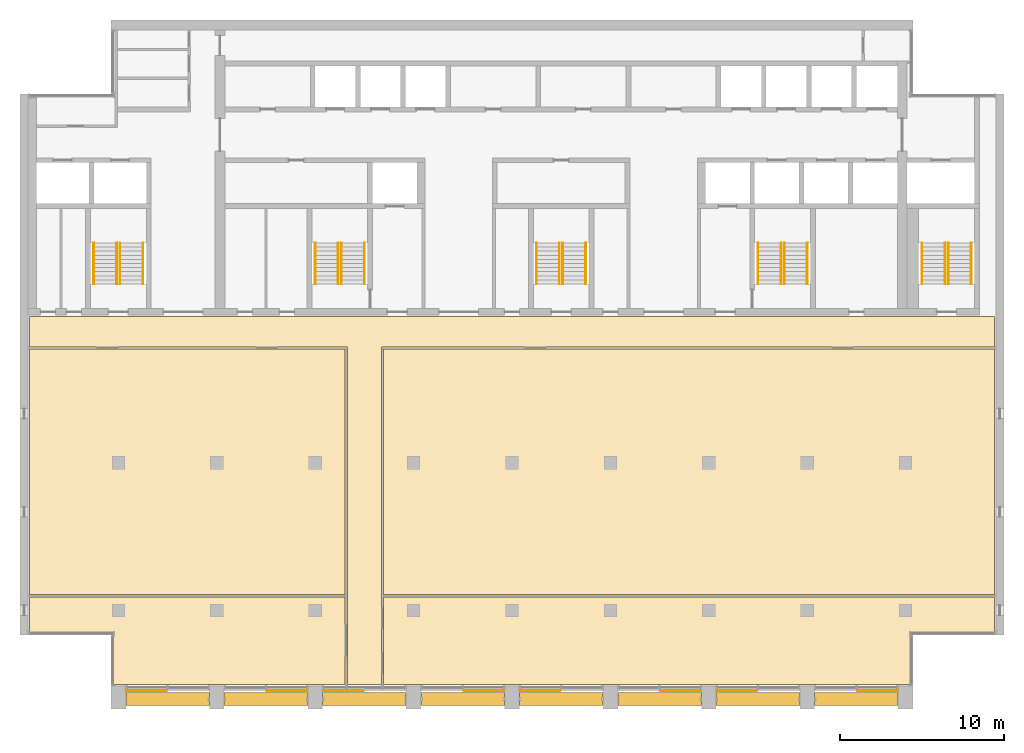
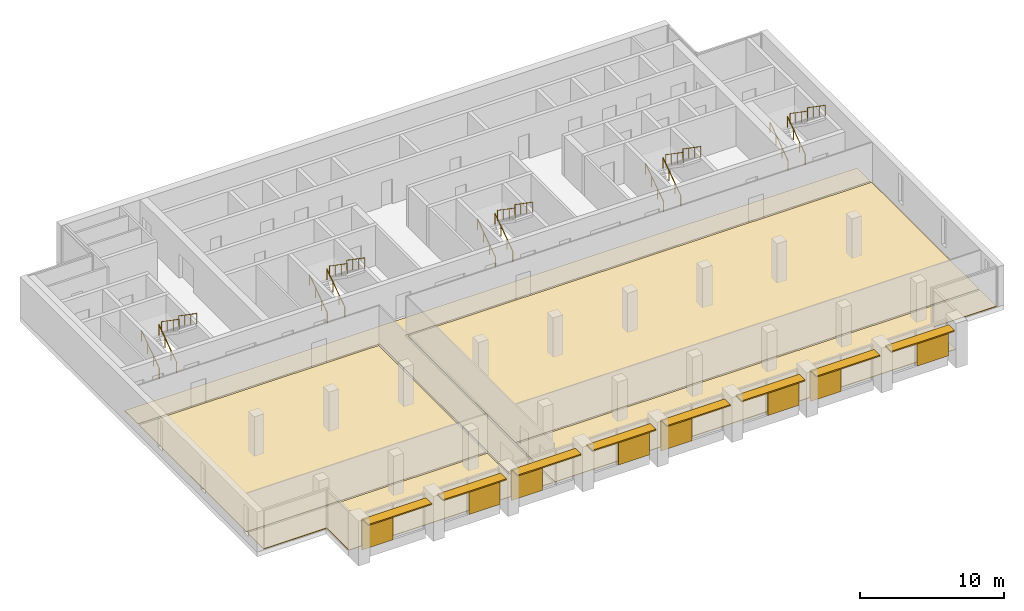
# One storey, part 14 of 14: 20 railings, 16 shading devices, 5 coverings, 5 elements without a shape of their own.
"""IFC4 building model written with IfcOpenShell, lengths in metres."""

from ifc_helpers import new_model, si_unit, direction, frame, origin, origin_2d, place, context, subcontext, project, spatial, polyline, rectangle, circle, outline, extrude, material, layer, layer_set, material_profile, profile_set, type_object, element, aggregate, save


model = new_model("IFC4")

# Units and contexts
model_context = context("Model", 3, precision=1e-05, world=origin(), true_north=direction((0.0, 1.0)))
body_context = subcontext(model_context, "Body", "Model", "MODEL_VIEW")
ifc_project = project(units=[si_unit("LENGTHUNIT", "METRE"), si_unit("AREAUNIT", "SQUARE_METRE"), si_unit("VOLUMEUNIT", "CUBIC_METRE"), si_unit("PLANEANGLEUNIT", "RADIAN"), si_unit("MASSUNIT", "GRAM", prefix="KILO")], contexts=[model_context])

# Site, building, storey
site_placement = place(None, origin())
site = spatial("IfcSite", under=ifc_project, at=site_placement, CompositionType="ELEMENT")
building_placement = place(site_placement, origin())
building = spatial("IfcBuilding", under=site, at=building_placement, Name="Calvaro Tower", CompositionType="ELEMENT")
storey_placement = place(building_placement, frame((0.0, 0.0, 258.35009765625)))
storey = spatial("IfcBuildingStorey", under=building, at=storey_placement, Name="L65", CompositionType="ELEMENT", Elevation=258.35009765625)

# Shading devices
ifc_material_1 = material(Name="Anodised aluminium", Category="aluminium")
ifc_material_profile = material_profile(ifc_material_1, rectangle(XDim=0.800048828125, YDim=0.10009765625, at=origin_2d()), Name="Brise-soleil blade 800 x 100")
ifc_profile_set = profile_set([ifc_material_profile], Name="Anodised aluminium")
shading_device_type_1 = type_object("IfcShadingDeviceType", Name="Brise-soleil blade 800 x 100", PredefinedType="JALOUSIE", material=ifc_profile_set)
for number, where, z_axis, x_axis, name in (
    (1, (12.449951171875, 4.60009765625, 2.64990234375), (1.0, 0.0, 0.0), (0.0, 1.0, 0.0), "Brise-soleil blade 1"),
    (2, (18.449951171875, 4.60009765625, 2.64990234375), (1.0, 0.0, 0.0), (0.0, 1.0, 0.0), "Brise-soleil blade 2"),
    (3, (24.449951171875, 4.60009765625, 2.64990234375), (1.0, 0.0, 0.0), (0.0, 1.0, 0.0), "Brise-soleil blade 3"),
    (4, (30.449951171875, 4.60009765625, 2.64990234375), (1.0, 0.0, 0.0), (0.0, 1.0, 0.0), "Brise-soleil blade 4"),
    (5, (36.449951171875, 4.60009765625, 2.64990234375), (1.0, 0.0, 0.0), (0.0, 1.0, 0.0), "Brise-soleil blade 5"),
    (6, (42.449951171875, 4.60009765625, 2.64990234375), (1.0, 0.0, 0.0), (0.0, 1.0, 0.0), "Brise-soleil blade 6"),
    (7, (48.449951171875, 4.60009765625, 2.64990234375), (1.0, 0.0, 0.0), (0.0, 1.0, 0.0), "Brise-soleil blade 7"),
    (8, (54.449951171875, 4.60009765625, 2.64990234375), (1.0, 0.0, 0.0), (0.0, 1.0, 0.0), "Brise-soleil blade 8"),
):
    element("IfcShadingDevice", number, at=place(storey_placement, frame(where, z_axis=z_axis, x_axis=x_axis)), inside=storey, type_object=shading_device_type_1, Name=name, PredefinedType="JALOUSIE", context=body_context, shape_type="SweptSolid", body=[
        extrude(rectangle(XDim=0.800048828125, YDim=0.10009765625, at=origin_2d()), origin(), (0.0, 0.0, 1.0), 5.10009765625),
    ])

# Coverings
ifc_material_2 = material(Name="Cement screed with carpet tile finish")
ifc_layer_1 = layer(ifc_material_2, 0.050048828125)
ifc_layer_set_1 = layer_set([ifc_layer_1], Name="Cement screed with carpet tile finish")
covering_type = type_object("IfcCoveringType", Name="Floor finish 50", PredefinedType="FLOORING", material=ifc_layer_set_1)
covering_1_placement = place(storey_placement, origin())
element("IfcCovering", 9, at=covering_1_placement, inside=storey, type_object=covering_type, Name="Floor finish 37.01", PredefinedType="FLOORING", context=body_context, shape_type="SweptSolid", body=[
    extrude(outline(polyline([(25.969970703125, 5.469970703125), (25.969970703125, 26.070068359375), (6.570068359375, 26.070068359375), (6.570068359375, 27.929931640625), (65.429931640625, 27.929931640625), (65.429931640625, 26.070068359375), (28.030029296875, 26.070068359375), (28.030029296875, 5.469970703125), (25.969970703125, 5.469970703125)])), origin(), (0.0, 0.0, 1.0), 0.0498046875),
])
covering_2_placement = place(storey_placement, origin())
element("IfcCovering", 10, at=covering_2_placement, inside=storey, type_object=covering_type, Name="Floor finish 37.03", PredefinedType="FLOORING", context=body_context, shape_type="SweptSolid", body=[
    extrude(outline(polyline([(25.830078125, 10.830078125), (25.830078125, 5.469970703125), (11.6201171875, 5.469970703125), (11.6201171875, 8.570068359375), (6.570068359375, 8.570068359375), (6.570068359375, 10.830078125), (25.830078125, 10.830078125)])), origin(), (0.0, 0.0, 1.0), 0.0498046875),
])
covering_3_placement = place(storey_placement, origin())
element("IfcCovering", 11, at=covering_3_placement, inside=storey, type_object=covering_type, Name="Floor finish 37.04", PredefinedType="FLOORING", context=body_context, shape_type="SweptSolid", body=[
    extrude(outline(polyline([(25.830078125, 25.929931640625), (25.830078125, 10.969970703125), (6.570068359375, 10.969970703125), (6.570068359375, 25.929931640625), (25.830078125, 25.929931640625)])), origin(), (0.0, 0.0, 1.0), 0.0498046875),
])
covering_4_placement = place(storey_placement, origin())
element("IfcCovering", 12, at=covering_4_placement, inside=storey, type_object=covering_type, Name="Floor finish 37.02", PredefinedType="FLOORING", context=body_context, shape_type="SweptSolid", body=[
    extrude(outline(polyline([(65.429931640625, 8.570068359375), (60.3798828125, 8.570068359375), (60.3798828125, 5.469970703125), (28.169921875, 5.469970703125), (28.169921875, 10.830078125), (65.429931640625, 10.830078125), (65.429931640625, 8.570068359375)])), origin(), (0.0, 0.0, 1.0), 0.0498046875),
])
covering_5_placement = place(storey_placement, origin())
element("IfcCovering", 13, at=covering_5_placement, inside=storey, type_object=covering_type, Name="Floor finish 37.05", PredefinedType="FLOORING", context=body_context, shape_type="SweptSolid", body=[
    extrude(outline(polyline([(65.429931640625, 10.969970703125), (28.169921875, 10.969970703125), (28.169921875, 25.929931640625), (65.429931640625, 25.929931640625), (65.429931640625, 10.969970703125)])), origin(), (0.0, 0.0, 1.0), 0.0498046875),
])

# Shading devices
ifc_material_3 = material(Name="Ceramic")
ifc_layer_2 = layer(ifc_material_3, 0.0400390625)
ifc_layer_set_2 = layer_set([ifc_layer_2], Name="Ceramic")
shading_device_type_2 = type_object("IfcShadingDeviceType", Name="Sliding ceramic screen 2500", PredefinedType="SHUTTER", material=ifc_layer_set_2)
for number, where, z_axis, x_axis, name in (
    (14, (13.699951171875, 5.10009765625, -0.000244140625), (0.0, 0.0, 1.0), (1.0, 0.0, 0.0), "Sliding screen 1"),
    (15, (22.300048828125, 5.10009765625, -0.000244140625), (0.0, 0.0, 1.0), (1.0, 0.0, 0.0), "Sliding screen 2"),
    (16, (25.699951171875, 5.10009765625, -0.000244140625), (0.0, 0.0, 1.0), (1.0, 0.0, 0.0), "Sliding screen 3"),
    (17, (34.300048828125, 5.10009765625, -0.000244140625), (0.0, 0.0, 1.0), (1.0, 0.0, 0.0), "Sliding screen 4"),
    (18, (37.699951171875, 5.10009765625, -0.000244140625), (0.0, 0.0, 1.0), (1.0, 0.0, 0.0), "Sliding screen 5"),
    (19, (46.300048828125, 5.10009765625, -0.000244140625), (0.0, 0.0, 1.0), (1.0, 0.0, 0.0), "Sliding screen 6"),
    (20, (49.699951171875, 5.10009765625, -0.000244140625), (0.0, 0.0, 1.0), (1.0, 0.0, 0.0), "Sliding screen 7"),
    (21, (58.300048828125, 5.10009765625, -0.000244140625), (0.0, 0.0, 1.0), (1.0, 0.0, 0.0), "Sliding screen 8"),
):
    element("IfcShadingDevice", number, at=place(storey_placement, frame(where, z_axis=z_axis, x_axis=x_axis)), inside=storey, type_object=shading_device_type_2, Name=name, PredefinedType="SHUTTER", context=body_context, shape_type="SweptSolid", body=[
        extrude(rectangle(XDim=2.5, YDim=0.0400390625, at=origin_2d()), origin(), (0.0, 0.0, 1.0), 2.60009765625),
    ])

# Stair, railings
ifc_material_4 = material(Name="Concrete C40/50", Category="concrete")
stair_type = type_object("IfcStairType", Name="Exit stair 1400 2 flights", PredefinedType="HALF_TURN_STAIR", material=ifc_material_4)
stair_1_placement = place(storey_placement, origin())
stair_1 = element("IfcStair", 22, at=stair_1_placement, inside=storey, type_object=stair_type, Name="Exit stair S1", PredefinedType="HALF_TURN_STAIR")
ifc_material_5 = material(Name="Stainless steel", Category="steel")
railing_type = type_object("IfcRailingType", Name="Stair handrail", PredefinedType="HANDRAIL", material=ifc_material_5)
railing_1_placement = place(storey_placement, frame((11.89990234375, 29.89990234375, 0.172607421875)))
railing_1 = element("IfcRailing", 23, at=railing_1_placement, type_object=railing_type, Name="Exit stair 1 handrail", PredefinedType="HANDRAIL", context=body_context, shape_type="SweptSolid", body=[
    extrude(circle(Radius=0.02392578125, at=origin_2d()), frame((0.0, 0.0, 0.8759765625), z_axis=(0.0, 0.822726922227, 0.568436813941), x_axis=(-1.0, 0.0, 0.0)), (0.0, 0.0, 1.0), 3.03857421875),
    extrude(circle(Radius=0.02099609375, at=origin_2d()), frame((0.0, 0.017333984375, 0.011962890625)), (0.0, 0.0, 1.0), 0.851806640625),
    extrude(circle(Radius=0.02099609375, at=origin_2d()), frame((0.0, 0.833251953125, 0.57568359375)), (0.0, 0.0, 1.0), 0.851806640625),
    extrude(circle(Radius=0.02099609375, at=origin_2d()), frame((0.0, 1.666748046875, 1.151611328125)), (0.0, 0.0, 1.0), 0.851806640625),
    extrude(circle(Radius=0.02099609375, at=origin_2d()), frame((0.0, 2.482666015625, 1.71533203125)), (0.0, 0.0, 1.0), 0.851806640625),
])
railing_2_placement = place(storey_placement, frame((10.5, 29.89990234375, 0.172607421875)))
railing_2 = element("IfcRailing", 24, at=railing_2_placement, type_object=railing_type, Name="Exit stair 1 handrail", PredefinedType="HANDRAIL", context=body_context, shape_type="SweptSolid", body=[
    extrude(circle(Radius=0.02392578125, at=origin_2d()), frame((0.0, 0.0, 0.8759765625), z_axis=(0.0, 0.822726922227, 0.568436813941), x_axis=(-1.0, 0.0, 0.0)), (0.0, 0.0, 1.0), 3.03857421875),
    extrude(circle(Radius=0.02099609375, at=origin_2d()), frame((0.0, 0.017333984375, 0.011962890625)), (0.0, 0.0, 1.0), 0.851806640625),
    extrude(circle(Radius=0.02099609375, at=origin_2d()), frame((0.0, 0.833251953125, 0.57568359375)), (0.0, 0.0, 1.0), 0.851806640625),
    extrude(circle(Radius=0.02099609375, at=origin_2d()), frame((0.0, 1.666748046875, 1.151611328125)), (0.0, 0.0, 1.0), 0.851806640625),
    extrude(circle(Radius=0.02099609375, at=origin_2d()), frame((0.0, 2.482666015625, 1.71533203125)), (0.0, 0.0, 1.0), 0.851806640625),
])
railing_3_placement = place(storey_placement, frame((12.10009765625, 32.39990234375, 2.072509765625)))
railing_3 = element("IfcRailing", 25, at=railing_3_placement, type_object=railing_type, Name="Exit stair 1 handrail", PredefinedType="HANDRAIL", context=body_context, shape_type="SweptSolid", body=[
    extrude(circle(Radius=0.02392578125, at=origin_2d()), frame((0.0, 0.0, 0.8759765625), z_axis=(0.0, -0.822726922227, 0.568436813941), x_axis=(1.0, 0.0, 0.0)), (0.0, 0.0, 1.0), 3.03857421875),
    extrude(circle(Radius=0.02099609375, at=origin_2d()), frame((0.0, -0.017333984375, 0.011962890625)), (0.0, 0.0, 1.0), 0.851806640625),
    extrude(circle(Radius=0.02099609375, at=origin_2d()), frame((0.0, -0.833251953125, 0.57568359375)), (0.0, 0.0, 1.0), 0.851806640625),
    extrude(circle(Radius=0.02099609375, at=origin_2d()), frame((0.0, -1.666748046875, 1.151611328125)), (0.0, 0.0, 1.0), 0.851806640625),
    extrude(circle(Radius=0.02099609375, at=origin_2d()), frame((0.0, -2.482666015625, 1.71533203125)), (0.0, 0.0, 1.0), 0.851806640625),
])
railing_4_placement = place(storey_placement, frame((13.5, 32.39990234375, 2.072509765625)))
railing_4 = element("IfcRailing", 26, at=railing_4_placement, type_object=railing_type, Name="Exit stair 1 handrail", PredefinedType="HANDRAIL", context=body_context, shape_type="SweptSolid", body=[
    extrude(circle(Radius=0.02392578125, at=origin_2d()), frame((0.0, 0.0, 0.8759765625), z_axis=(0.0, -0.822726922227, 0.568436813941), x_axis=(1.0, 0.0, 0.0)), (0.0, 0.0, 1.0), 3.03857421875),
    extrude(circle(Radius=0.02099609375, at=origin_2d()), frame((0.0, -0.017333984375, 0.011962890625)), (0.0, 0.0, 1.0), 0.851806640625),
    extrude(circle(Radius=0.02099609375, at=origin_2d()), frame((0.0, -0.833251953125, 0.57568359375)), (0.0, 0.0, 1.0), 0.851806640625),
    extrude(circle(Radius=0.02099609375, at=origin_2d()), frame((0.0, -1.666748046875, 1.151611328125)), (0.0, 0.0, 1.0), 0.851806640625),
    extrude(circle(Radius=0.02099609375, at=origin_2d()), frame((0.0, -2.482666015625, 1.71533203125)), (0.0, 0.0, 1.0), 0.851806640625),
])
aggregate(stair_1, [railing_1, railing_2, railing_3, railing_4])

stair_2_placement = place(storey_placement, origin())
stair_2 = element("IfcStair", 27, at=stair_2_placement, inside=storey, type_object=stair_type, Name="Exit stair S2", PredefinedType="HALF_TURN_STAIR")
railing_5_placement = place(storey_placement, frame((25.39990234375, 29.89990234375, 0.172607421875)))
railing_5 = element("IfcRailing", 28, at=railing_5_placement, type_object=railing_type, Name="Exit stair 2 handrail", PredefinedType="HANDRAIL", context=body_context, shape_type="SweptSolid", body=[
    extrude(circle(Radius=0.02392578125, at=origin_2d()), frame((0.0, 0.0, 0.8759765625), z_axis=(0.0, 0.822726922227, 0.568436813941), x_axis=(-1.0, 0.0, 0.0)), (0.0, 0.0, 1.0), 3.03857421875),
    extrude(circle(Radius=0.02099609375, at=origin_2d()), frame((0.0, 0.017333984375, 0.011962890625)), (0.0, 0.0, 1.0), 0.851806640625),
    extrude(circle(Radius=0.02099609375, at=origin_2d()), frame((0.0, 0.833251953125, 0.57568359375)), (0.0, 0.0, 1.0), 0.851806640625),
    extrude(circle(Radius=0.02099609375, at=origin_2d()), frame((0.0, 1.666748046875, 1.151611328125)), (0.0, 0.0, 1.0), 0.851806640625),
    extrude(circle(Radius=0.02099609375, at=origin_2d()), frame((0.0, 2.482666015625, 1.71533203125)), (0.0, 0.0, 1.0), 0.851806640625),
])
railing_6_placement = place(storey_placement, frame((24.0, 29.89990234375, 0.172607421875)))
railing_6 = element("IfcRailing", 29, at=railing_6_placement, type_object=railing_type, Name="Exit stair 2 handrail", PredefinedType="HANDRAIL", context=body_context, shape_type="SweptSolid", body=[
    extrude(circle(Radius=0.02392578125, at=origin_2d()), frame((0.0, 0.0, 0.8759765625), z_axis=(0.0, 0.822726922227, 0.568436813941), x_axis=(-1.0, 0.0, 0.0)), (0.0, 0.0, 1.0), 3.03857421875),
    extrude(circle(Radius=0.02099609375, at=origin_2d()), frame((0.0, 0.017333984375, 0.011962890625)), (0.0, 0.0, 1.0), 0.851806640625),
    extrude(circle(Radius=0.02099609375, at=origin_2d()), frame((0.0, 0.833251953125, 0.57568359375)), (0.0, 0.0, 1.0), 0.851806640625),
    extrude(circle(Radius=0.02099609375, at=origin_2d()), frame((0.0, 1.666748046875, 1.151611328125)), (0.0, 0.0, 1.0), 0.851806640625),
    extrude(circle(Radius=0.02099609375, at=origin_2d()), frame((0.0, 2.482666015625, 1.71533203125)), (0.0, 0.0, 1.0), 0.851806640625),
])
railing_7_placement = place(storey_placement, frame((25.60009765625, 32.39990234375, 2.072509765625)))
railing_7 = element("IfcRailing", 30, at=railing_7_placement, type_object=railing_type, Name="Exit stair 2 handrail", PredefinedType="HANDRAIL", context=body_context, shape_type="SweptSolid", body=[
    extrude(circle(Radius=0.02392578125, at=origin_2d()), frame((0.0, 0.0, 0.8759765625), z_axis=(0.0, -0.822726922227, 0.568436813941), x_axis=(1.0, 0.0, 0.0)), (0.0, 0.0, 1.0), 3.03857421875),
    extrude(circle(Radius=0.02099609375, at=origin_2d()), frame((0.0, -0.017333984375, 0.011962890625)), (0.0, 0.0, 1.0), 0.851806640625),
    extrude(circle(Radius=0.02099609375, at=origin_2d()), frame((0.0, -0.833251953125, 0.57568359375)), (0.0, 0.0, 1.0), 0.851806640625),
    extrude(circle(Radius=0.02099609375, at=origin_2d()), frame((0.0, -1.666748046875, 1.151611328125)), (0.0, 0.0, 1.0), 0.851806640625),
    extrude(circle(Radius=0.02099609375, at=origin_2d()), frame((0.0, -2.482666015625, 1.71533203125)), (0.0, 0.0, 1.0), 0.851806640625),
])
railing_8_placement = place(storey_placement, frame((27.0, 32.39990234375, 2.072509765625)))
railing_8 = element("IfcRailing", 31, at=railing_8_placement, type_object=railing_type, Name="Exit stair 2 handrail", PredefinedType="HANDRAIL", context=body_context, shape_type="SweptSolid", body=[
    extrude(circle(Radius=0.02392578125, at=origin_2d()), frame((0.0, 0.0, 0.8759765625), z_axis=(0.0, -0.822726922227, 0.568436813941), x_axis=(1.0, 0.0, 0.0)), (0.0, 0.0, 1.0), 3.03857421875),
    extrude(circle(Radius=0.02099609375, at=origin_2d()), frame((0.0, -0.017333984375, 0.011962890625)), (0.0, 0.0, 1.0), 0.851806640625),
    extrude(circle(Radius=0.02099609375, at=origin_2d()), frame((0.0, -0.833251953125, 0.57568359375)), (0.0, 0.0, 1.0), 0.851806640625),
    extrude(circle(Radius=0.02099609375, at=origin_2d()), frame((0.0, -1.666748046875, 1.151611328125)), (0.0, 0.0, 1.0), 0.851806640625),
    extrude(circle(Radius=0.02099609375, at=origin_2d()), frame((0.0, -2.482666015625, 1.71533203125)), (0.0, 0.0, 1.0), 0.851806640625),
])
aggregate(stair_2, [railing_5, railing_6, railing_7, railing_8])

stair_3_placement = place(storey_placement, origin())
stair_3 = element("IfcStair", 32, at=stair_3_placement, inside=storey, type_object=stair_type, Name="Exit stair S3", PredefinedType="HALF_TURN_STAIR")
railing_9_placement = place(storey_placement, frame((38.89990234375, 29.89990234375, 0.172607421875)))
railing_9 = element("IfcRailing", 33, at=railing_9_placement, type_object=railing_type, Name="Exit stair 3 handrail", PredefinedType="HANDRAIL", context=body_context, shape_type="SweptSolid", body=[
    extrude(circle(Radius=0.02392578125, at=origin_2d()), frame((0.0, 0.0, 0.8759765625), z_axis=(0.0, 0.822726922227, 0.568436813941), x_axis=(-1.0, 0.0, 0.0)), (0.0, 0.0, 1.0), 3.03857421875),
    extrude(circle(Radius=0.02099609375, at=origin_2d()), frame((0.0, 0.017333984375, 0.011962890625)), (0.0, 0.0, 1.0), 0.851806640625),
    extrude(circle(Radius=0.02099609375, at=origin_2d()), frame((0.0, 0.833251953125, 0.57568359375)), (0.0, 0.0, 1.0), 0.851806640625),
    extrude(circle(Radius=0.02099609375, at=origin_2d()), frame((0.0, 1.666748046875, 1.151611328125)), (0.0, 0.0, 1.0), 0.851806640625),
    extrude(circle(Radius=0.02099609375, at=origin_2d()), frame((0.0, 2.482666015625, 1.71533203125)), (0.0, 0.0, 1.0), 0.851806640625),
])
railing_10_placement = place(storey_placement, frame((37.5, 29.89990234375, 0.172607421875)))
railing_10 = element("IfcRailing", 34, at=railing_10_placement, type_object=railing_type, Name="Exit stair 3 handrail", PredefinedType="HANDRAIL", context=body_context, shape_type="SweptSolid", body=[
    extrude(circle(Radius=0.02392578125, at=origin_2d()), frame((0.0, 0.0, 0.8759765625), z_axis=(0.0, 0.822726922227, 0.568436813941), x_axis=(-1.0, 0.0, 0.0)), (0.0, 0.0, 1.0), 3.03857421875),
    extrude(circle(Radius=0.02099609375, at=origin_2d()), frame((0.0, 0.017333984375, 0.011962890625)), (0.0, 0.0, 1.0), 0.851806640625),
    extrude(circle(Radius=0.02099609375, at=origin_2d()), frame((0.0, 0.833251953125, 0.57568359375)), (0.0, 0.0, 1.0), 0.851806640625),
    extrude(circle(Radius=0.02099609375, at=origin_2d()), frame((0.0, 1.666748046875, 1.151611328125)), (0.0, 0.0, 1.0), 0.851806640625),
    extrude(circle(Radius=0.02099609375, at=origin_2d()), frame((0.0, 2.482666015625, 1.71533203125)), (0.0, 0.0, 1.0), 0.851806640625),
])
railing_11_placement = place(storey_placement, frame((39.10009765625, 32.39990234375, 2.072509765625)))
railing_11 = element("IfcRailing", 35, at=railing_11_placement, type_object=railing_type, Name="Exit stair 3 handrail", PredefinedType="HANDRAIL", context=body_context, shape_type="SweptSolid", body=[
    extrude(circle(Radius=0.02392578125, at=origin_2d()), frame((0.0, 0.0, 0.8759765625), z_axis=(0.0, -0.822726922227, 0.568436813941), x_axis=(1.0, 0.0, 0.0)), (0.0, 0.0, 1.0), 3.03857421875),
    extrude(circle(Radius=0.02099609375, at=origin_2d()), frame((0.0, -0.017333984375, 0.011962890625)), (0.0, 0.0, 1.0), 0.851806640625),
    extrude(circle(Radius=0.02099609375, at=origin_2d()), frame((0.0, -0.833251953125, 0.57568359375)), (0.0, 0.0, 1.0), 0.851806640625),
    extrude(circle(Radius=0.02099609375, at=origin_2d()), frame((0.0, -1.666748046875, 1.151611328125)), (0.0, 0.0, 1.0), 0.851806640625),
    extrude(circle(Radius=0.02099609375, at=origin_2d()), frame((0.0, -2.482666015625, 1.71533203125)), (0.0, 0.0, 1.0), 0.851806640625),
])
railing_12_placement = place(storey_placement, frame((40.5, 32.39990234375, 2.072509765625)))
railing_12 = element("IfcRailing", 36, at=railing_12_placement, type_object=railing_type, Name="Exit stair 3 handrail", PredefinedType="HANDRAIL", context=body_context, shape_type="SweptSolid", body=[
    extrude(circle(Radius=0.02392578125, at=origin_2d()), frame((0.0, 0.0, 0.8759765625), z_axis=(0.0, -0.822726922227, 0.568436813941), x_axis=(1.0, 0.0, 0.0)), (0.0, 0.0, 1.0), 3.03857421875),
    extrude(circle(Radius=0.02099609375, at=origin_2d()), frame((0.0, -0.017333984375, 0.011962890625)), (0.0, 0.0, 1.0), 0.851806640625),
    extrude(circle(Radius=0.02099609375, at=origin_2d()), frame((0.0, -0.833251953125, 0.57568359375)), (0.0, 0.0, 1.0), 0.851806640625),
    extrude(circle(Radius=0.02099609375, at=origin_2d()), frame((0.0, -1.666748046875, 1.151611328125)), (0.0, 0.0, 1.0), 0.851806640625),
    extrude(circle(Radius=0.02099609375, at=origin_2d()), frame((0.0, -2.482666015625, 1.71533203125)), (0.0, 0.0, 1.0), 0.851806640625),
])
aggregate(stair_3, [railing_9, railing_10, railing_11, railing_12])

stair_4_placement = place(storey_placement, origin())
stair_4 = element("IfcStair", 37, at=stair_4_placement, inside=storey, type_object=stair_type, Name="Exit stair S4", PredefinedType="HALF_TURN_STAIR")
railing_13_placement = place(storey_placement, frame((52.39990234375, 29.89990234375, 0.172607421875)))
railing_13 = element("IfcRailing", 38, at=railing_13_placement, type_object=railing_type, Name="Exit stair 4 handrail", PredefinedType="HANDRAIL", context=body_context, shape_type="SweptSolid", body=[
    extrude(circle(Radius=0.02392578125, at=origin_2d()), frame((0.0, 0.0, 0.8759765625), z_axis=(0.0, 0.822726922227, 0.568436813941), x_axis=(-1.0, 0.0, 0.0)), (0.0, 0.0, 1.0), 3.03857421875),
    extrude(circle(Radius=0.02099609375, at=origin_2d()), frame((0.0, 0.017333984375, 0.011962890625)), (0.0, 0.0, 1.0), 0.851806640625),
    extrude(circle(Radius=0.02099609375, at=origin_2d()), frame((0.0, 0.833251953125, 0.57568359375)), (0.0, 0.0, 1.0), 0.851806640625),
    extrude(circle(Radius=0.02099609375, at=origin_2d()), frame((0.0, 1.666748046875, 1.151611328125)), (0.0, 0.0, 1.0), 0.851806640625),
    extrude(circle(Radius=0.02099609375, at=origin_2d()), frame((0.0, 2.482666015625, 1.71533203125)), (0.0, 0.0, 1.0), 0.851806640625),
])
railing_14_placement = place(storey_placement, frame((51.0, 29.89990234375, 0.172607421875)))
railing_14 = element("IfcRailing", 39, at=railing_14_placement, type_object=railing_type, Name="Exit stair 4 handrail", PredefinedType="HANDRAIL", context=body_context, shape_type="SweptSolid", body=[
    extrude(circle(Radius=0.02392578125, at=origin_2d()), frame((0.0, 0.0, 0.8759765625), z_axis=(0.0, 0.822726922227, 0.568436813941), x_axis=(-1.0, 0.0, 0.0)), (0.0, 0.0, 1.0), 3.03857421875),
    extrude(circle(Radius=0.02099609375, at=origin_2d()), frame((0.0, 0.017333984375, 0.011962890625)), (0.0, 0.0, 1.0), 0.851806640625),
    extrude(circle(Radius=0.02099609375, at=origin_2d()), frame((0.0, 0.833251953125, 0.57568359375)), (0.0, 0.0, 1.0), 0.851806640625),
    extrude(circle(Radius=0.02099609375, at=origin_2d()), frame((0.0, 1.666748046875, 1.151611328125)), (0.0, 0.0, 1.0), 0.851806640625),
    extrude(circle(Radius=0.02099609375, at=origin_2d()), frame((0.0, 2.482666015625, 1.71533203125)), (0.0, 0.0, 1.0), 0.851806640625),
])
railing_15_placement = place(storey_placement, frame((52.60009765625, 32.39990234375, 2.072509765625)))
railing_15 = element("IfcRailing", 40, at=railing_15_placement, type_object=railing_type, Name="Exit stair 4 handrail", PredefinedType="HANDRAIL", context=body_context, shape_type="SweptSolid", body=[
    extrude(circle(Radius=0.02392578125, at=origin_2d()), frame((0.0, 0.0, 0.8759765625), z_axis=(0.0, -0.822726922227, 0.568436813941), x_axis=(1.0, 0.0, 0.0)), (0.0, 0.0, 1.0), 3.03857421875),
    extrude(circle(Radius=0.02099609375, at=origin_2d()), frame((0.0, -0.017333984375, 0.011962890625)), (0.0, 0.0, 1.0), 0.851806640625),
    extrude(circle(Radius=0.02099609375, at=origin_2d()), frame((0.0, -0.833251953125, 0.57568359375)), (0.0, 0.0, 1.0), 0.851806640625),
    extrude(circle(Radius=0.02099609375, at=origin_2d()), frame((0.0, -1.666748046875, 1.151611328125)), (0.0, 0.0, 1.0), 0.851806640625),
    extrude(circle(Radius=0.02099609375, at=origin_2d()), frame((0.0, -2.482666015625, 1.71533203125)), (0.0, 0.0, 1.0), 0.851806640625),
])
railing_16_placement = place(storey_placement, frame((54.0, 32.39990234375, 2.072509765625)))
railing_16 = element("IfcRailing", 41, at=railing_16_placement, type_object=railing_type, Name="Exit stair 4 handrail", PredefinedType="HANDRAIL", context=body_context, shape_type="SweptSolid", body=[
    extrude(circle(Radius=0.02392578125, at=origin_2d()), frame((0.0, 0.0, 0.8759765625), z_axis=(0.0, -0.822726922227, 0.568436813941), x_axis=(1.0, 0.0, 0.0)), (0.0, 0.0, 1.0), 3.03857421875),
    extrude(circle(Radius=0.02099609375, at=origin_2d()), frame((0.0, -0.017333984375, 0.011962890625)), (0.0, 0.0, 1.0), 0.851806640625),
    extrude(circle(Radius=0.02099609375, at=origin_2d()), frame((0.0, -0.833251953125, 0.57568359375)), (0.0, 0.0, 1.0), 0.851806640625),
    extrude(circle(Radius=0.02099609375, at=origin_2d()), frame((0.0, -1.666748046875, 1.151611328125)), (0.0, 0.0, 1.0), 0.851806640625),
    extrude(circle(Radius=0.02099609375, at=origin_2d()), frame((0.0, -2.482666015625, 1.71533203125)), (0.0, 0.0, 1.0), 0.851806640625),
])
aggregate(stair_4, [railing_13, railing_14, railing_15, railing_16])

stair_5_placement = place(storey_placement, origin())
stair_5 = element("IfcStair", 42, at=stair_5_placement, inside=storey, type_object=stair_type, Name="Exit stair S5", PredefinedType="HALF_TURN_STAIR")
railing_17_placement = place(storey_placement, frame((62.39990234375, 29.89990234375, 0.172607421875)))
railing_17 = element("IfcRailing", 43, at=railing_17_placement, type_object=railing_type, Name="Exit stair 5 handrail", PredefinedType="HANDRAIL", context=body_context, shape_type="SweptSolid", body=[
    extrude(circle(Radius=0.02392578125, at=origin_2d()), frame((0.0, 0.0, 0.8759765625), z_axis=(0.0, 0.822726922227, 0.568436813941), x_axis=(-1.0, 0.0, 0.0)), (0.0, 0.0, 1.0), 3.03857421875),
    extrude(circle(Radius=0.02099609375, at=origin_2d()), frame((0.0, 0.017333984375, 0.011962890625)), (0.0, 0.0, 1.0), 0.851806640625),
    extrude(circle(Radius=0.02099609375, at=origin_2d()), frame((0.0, 0.833251953125, 0.57568359375)), (0.0, 0.0, 1.0), 0.851806640625),
    extrude(circle(Radius=0.02099609375, at=origin_2d()), frame((0.0, 1.666748046875, 1.151611328125)), (0.0, 0.0, 1.0), 0.851806640625),
    extrude(circle(Radius=0.02099609375, at=origin_2d()), frame((0.0, 2.482666015625, 1.71533203125)), (0.0, 0.0, 1.0), 0.851806640625),
])
railing_18_placement = place(storey_placement, frame((61.0, 29.89990234375, 0.172607421875)))
railing_18 = element("IfcRailing", 44, at=railing_18_placement, type_object=railing_type, Name="Exit stair 5 handrail", PredefinedType="HANDRAIL", context=body_context, shape_type="SweptSolid", body=[
    extrude(circle(Radius=0.02392578125, at=origin_2d()), frame((0.0, 0.0, 0.8759765625), z_axis=(0.0, 0.822726922227, 0.568436813941), x_axis=(-1.0, 0.0, 0.0)), (0.0, 0.0, 1.0), 3.03857421875),
    extrude(circle(Radius=0.02099609375, at=origin_2d()), frame((0.0, 0.017333984375, 0.011962890625)), (0.0, 0.0, 1.0), 0.851806640625),
    extrude(circle(Radius=0.02099609375, at=origin_2d()), frame((0.0, 0.833251953125, 0.57568359375)), (0.0, 0.0, 1.0), 0.851806640625),
    extrude(circle(Radius=0.02099609375, at=origin_2d()), frame((0.0, 1.666748046875, 1.151611328125)), (0.0, 0.0, 1.0), 0.851806640625),
    extrude(circle(Radius=0.02099609375, at=origin_2d()), frame((0.0, 2.482666015625, 1.71533203125)), (0.0, 0.0, 1.0), 0.851806640625),
])
railing_19_placement = place(storey_placement, frame((62.60009765625, 32.39990234375, 2.072509765625)))
railing_19 = element("IfcRailing", 45, at=railing_19_placement, type_object=railing_type, Name="Exit stair 5 handrail", PredefinedType="HANDRAIL", context=body_context, shape_type="SweptSolid", body=[
    extrude(circle(Radius=0.02392578125, at=origin_2d()), frame((0.0, 0.0, 0.8759765625), z_axis=(0.0, -0.822726922227, 0.568436813941), x_axis=(1.0, 0.0, 0.0)), (0.0, 0.0, 1.0), 3.03857421875),
    extrude(circle(Radius=0.02099609375, at=origin_2d()), frame((0.0, -0.017333984375, 0.011962890625)), (0.0, 0.0, 1.0), 0.851806640625),
    extrude(circle(Radius=0.02099609375, at=origin_2d()), frame((0.0, -0.833251953125, 0.57568359375)), (0.0, 0.0, 1.0), 0.851806640625),
    extrude(circle(Radius=0.02099609375, at=origin_2d()), frame((0.0, -1.666748046875, 1.151611328125)), (0.0, 0.0, 1.0), 0.851806640625),
    extrude(circle(Radius=0.02099609375, at=origin_2d()), frame((0.0, -2.482666015625, 1.71533203125)), (0.0, 0.0, 1.0), 0.851806640625),
])
railing_20_placement = place(storey_placement, frame((64.0, 32.39990234375, 2.072509765625)))
railing_20 = element("IfcRailing", 46, at=railing_20_placement, type_object=railing_type, Name="Exit stair 5 handrail", PredefinedType="HANDRAIL", context=body_context, shape_type="SweptSolid", body=[
    extrude(circle(Radius=0.02392578125, at=origin_2d()), frame((0.0, 0.0, 0.8759765625), z_axis=(0.0, -0.822726922227, 0.568436813941), x_axis=(1.0, 0.0, 0.0)), (0.0, 0.0, 1.0), 3.03857421875),
    extrude(circle(Radius=0.02099609375, at=origin_2d()), frame((0.0, -0.017333984375, 0.011962890625)), (0.0, 0.0, 1.0), 0.851806640625),
    extrude(circle(Radius=0.02099609375, at=origin_2d()), frame((0.0, -0.833251953125, 0.57568359375)), (0.0, 0.0, 1.0), 0.851806640625),
    extrude(circle(Radius=0.02099609375, at=origin_2d()), frame((0.0, -1.666748046875, 1.151611328125)), (0.0, 0.0, 1.0), 0.851806640625),
    extrude(circle(Radius=0.02099609375, at=origin_2d()), frame((0.0, -2.482666015625, 1.71533203125)), (0.0, 0.0, 1.0), 0.851806640625),
])
aggregate(stair_5, [railing_17, railing_18, railing_19, railing_20])

save(model, "model.ifc")
